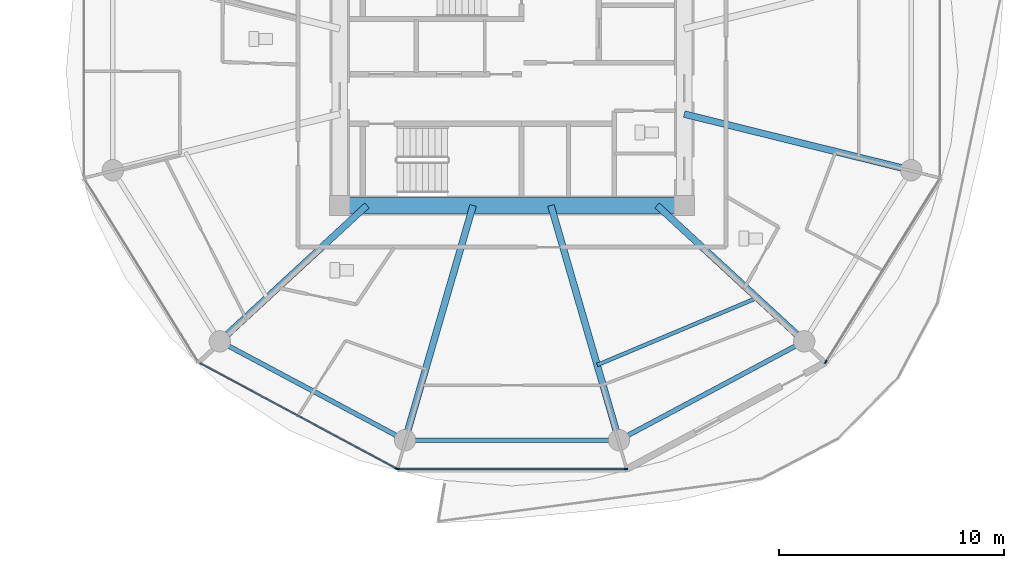
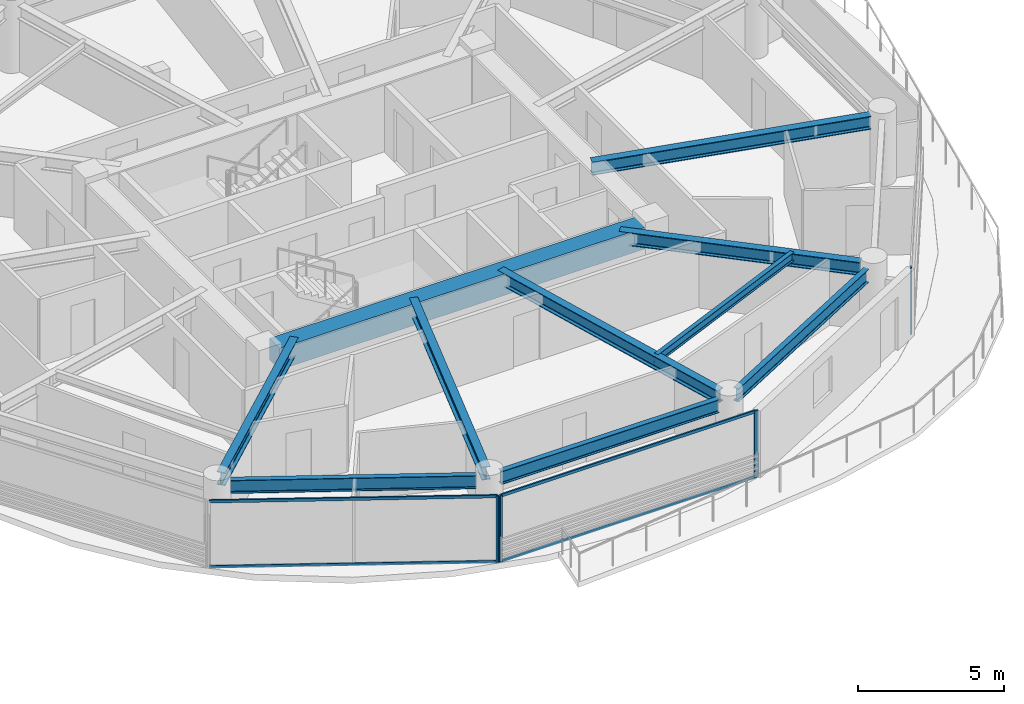
# One storey, part 10 of 27: 10 beams, 8 members, 3 elements without a shape of their own.
"""IFC4 building model written with IfcOpenShell, lengths in metres."""

from ifc_helpers import new_model, si_unit, direction, frame, origin, origin_2d, place, context, subcontext, project, spatial, rectangle, i_section, extrude, source, transform, mapped, material, layer, layer_set, material_profile, profile_set, type_object, type_shapes, element, aggregate, save


model = new_model("IFC4")

# Units and contexts
model_context = context("Model", 3, precision=1e-05, world=origin(), true_north=direction((0.0, 1.0)))
body_context = subcontext(model_context, "Body", "Model", "MODEL_VIEW")
ifc_project = project(units=[si_unit("LENGTHUNIT", "METRE"), si_unit("AREAUNIT", "SQUARE_METRE"), si_unit("VOLUMEUNIT", "CUBIC_METRE"), si_unit("PLANEANGLEUNIT", "RADIAN"), si_unit("MASSUNIT", "GRAM", prefix="KILO")], contexts=[model_context])

# Site, building, storey
site_placement = place(None, origin())
site = spatial("IfcSite", under=ifc_project, at=site_placement, CompositionType="ELEMENT")
building_placement = place(site_placement, origin())
building = spatial("IfcBuilding", under=site, at=building_placement, Name="Norrkilde Senior Care Towers", CompositionType="ELEMENT")
storey_placement = place(building_placement, frame((0.0, 0.0, 36.85009765625)))
storey = spatial("IfcBuildingStorey", under=building, at=storey_placement, Name="L10", CompositionType="ELEMENT", Elevation=36.85009765625)

# Beams
ifc_material_1 = material(Name="Concrete C60/75", Category="concrete")
ifc_material_profile_1 = material_profile(ifc_material_1, rectangle(XDim=0.699951171875, YDim=0.89990234375, at=origin_2d()), Name="RC BM 700x900")
ifc_profile_set_1 = profile_set([ifc_material_profile_1], Name="Concrete C60/75")
beam_type_1 = type_object("IfcBeamType", Name="Core Coupling Girder 700x900", PredefinedType="USERDEFINED", material=ifc_profile_set_1)
shared_shape_1 = source(origin(), body_context, "Body", "SweptSolid", [
    extrude(rectangle(XDim=0.699951171875, YDim=0.89990234375, at=origin_2d()), origin(), (0.0, 0.0, 1.0), 14.43994140625),
])
type_shapes(beam_type_1, [shared_shape_1])
beam_1_placement = place(storey_placement, frame((20.780029296875, -5.949951171875, 2.33984375), z_axis=(1.0, 0.0, 0.0), x_axis=(0.0, 1.0, 0.0)))
element("IfcBeam", 1, at=beam_1_placement, inside=storey, type_object=beam_type_1, Name="L10 Core E S Coupling Girder", ObjectType="GIRDER", PredefinedType="USERDEFINED", context=body_context, shape_type="MappedRepresentation", body=[
    mapped(shared_shape_1, transform((0.0, 0.0, 0.0), x_axis=(1.0, 0.0, 0.0), y_axis=(0.0, 1.0, 0.0), z_axis=(0.0, 0.0, 1.0), scale=1.0)),
])
ifc_material_2 = material(Name="Steel S355", Category="steel")
ifc_material_profile_2 = material_profile(ifc_material_2, i_section(OverallWidth=0.300048828125, OverallDepth=0.550048828125, WebThickness=0.014892578125, FlangeThickness=0.029052734375, FilletRadius=0.027099609375, at=origin_2d()), Name="HEB 550")
ifc_profile_set_2 = profile_set([ifc_material_profile_2], Name="Steel S355")
beam_type_2 = type_object("IfcBeamType", Name="Radial Floor Beam Z1 HEB550", PredefinedType="BEAM", material=ifc_profile_set_2)
shared_shape_2 = source(origin(), body_context, "Body", "SweptSolid", [
    extrude(i_section(OverallWidth=0.300048828125, OverallDepth=0.550048828125, WebThickness=0.014892578125, FlangeThickness=0.029052734375, FilletRadius=0.027099609375, at=origin_2d()), origin(), (0.0, 0.0, 1.0), 9.94384765625),
])
beam_2_placement = place(storey_placement, frame((35.64990234375, -1.893310546875, 2.514892578125), z_axis=(0.970707425182, -0.240264634718, 0.0), x_axis=(0.240264634718, 0.970707425182, 0.0)))
element("IfcBeam", 2, at=beam_2_placement, inside=storey, type_object=beam_type_2, Name="L10 Drum E Radial Floor Beam 12", PredefinedType="BEAM", context=body_context, shape_type="MappedRepresentation", body=[
    mapped(shared_shape_2, transform((0.0, 0.0, 0.0), x_axis=(1.0, 0.0, 0.0), y_axis=(0.0, 1.0, 0.0), z_axis=(0.0, 0.0, 1.0), scale=1.0)),
])
ifc_material_profile_3 = material_profile(ifc_material_2, i_section(OverallWidth=0.2099609375, OverallDepth=0.550048828125, WebThickness=0.010986328125, FlangeThickness=0.01708984375, FilletRadius=0.02392578125, at=origin_2d()), Name="IPE 550")
ifc_profile_set_3 = profile_set([ifc_material_profile_3], Name="Steel S355")
beam_type_3 = type_object("IfcBeamType", Name="Perimeter Ring Spandrel Z1 IPE550", PredefinedType="SPANDREL", material=ifc_profile_set_3)
shared_shape_3 = source(origin(), body_context, "Body", "SweptSolid", [
    extrude(i_section(OverallWidth=0.2099609375, OverallDepth=0.550048828125, WebThickness=0.010986328125, FlangeThickness=0.01708984375, FilletRadius=0.02392578125, at=origin_2d()), origin(), (0.0, 0.0, 1.0), 8.452880859375),
])
for number, where, z_axis, x_axis, name in (
    (3, (15.408447265625, -12.190185546875, 2.514892578125), (0.882368931134, -0.470558252898, 0.0), (0.470558252898, 0.882368931134, 0.0), "L10 Drum E Perimeter Spandrel 08"),
    (4, (33.133056640625, -16.167724609375, 2.514892578125), (0.882368931134, 0.470558252898, 0.0), (-0.470558252898, 0.882368931134, 0.0), "L10 Drum E Perimeter Spandrel 10"),
):
    element("IfcBeam", number, at=place(storey_placement, frame(where, z_axis=z_axis, x_axis=x_axis)), inside=storey, type_object=beam_type_3, Name=name, PredefinedType="SPANDREL", context=body_context, shape_type="MappedRepresentation", body=[
        mapped(shared_shape_3, transform((0.0, 0.0, 0.0), x_axis=(1.0, 0.0, 0.0), y_axis=(0.0, 1.0, 0.0), z_axis=(0.0, 0.0, 1.0), scale=1.0)),
    ])
shared_shape_4 = source(origin(), body_context, "Body", "SweptSolid", [
    extrude(i_section(OverallWidth=0.300048828125, OverallDepth=0.550048828125, WebThickness=0.014892578125, FlangeThickness=0.029052734375, FilletRadius=0.027099609375, at=origin_2d()), origin(), (0.0, 0.0, 1.0), 8.459716796875),
])
for number, where, z_axis, x_axis, name in (
    (5, (21.55859375, -5.949951171875, 2.514892578125), (-0.734573269108, -0.678529374686, 0.0), (0.678529374686, -0.734573269108, 0.0), "L10 Drum E Radial Floor Beam 08"),
    (6, (34.44140625, -5.949951171875, 2.514892578125), (0.734573269108, -0.678529374686, 0.0), (0.678529374686, 0.734573269108, 0.0), "L10 Drum E Radial Floor Beam 11"),
):
    element("IfcBeam", number, at=place(storey_placement, frame(where, z_axis=z_axis, x_axis=x_axis)), inside=storey, type_object=beam_type_2, Name=name, PredefinedType="BEAM", context=body_context, shape_type="MappedRepresentation", body=[
        mapped(shared_shape_4, transform((0.0, 0.0, 0.0), x_axis=(1.0, 0.0, 0.0), y_axis=(0.0, 1.0, 0.0), z_axis=(0.0, 0.0, 1.0), scale=1.0)),
    ])
shared_shape_5 = source(origin(), body_context, "Body", "SweptSolid", [
    extrude(i_section(OverallWidth=0.2099609375, OverallDepth=0.550048828125, WebThickness=0.010986328125, FlangeThickness=0.01708984375, FilletRadius=0.02392578125, at=origin_2d()), origin(), (0.0, 0.0, 1.0), 8.62841796875),
])
type_shapes(beam_type_3, [shared_shape_3, shared_shape_5])
beam_3_placement = place(storey_placement, frame((23.685791015625, -16.37255859375, 2.514892578125), z_axis=(1.0, 0.0, 0.0), x_axis=(0.0, 1.0, 0.0)))
element("IfcBeam", 7, at=beam_3_placement, inside=storey, type_object=beam_type_3, Name="L10 Drum E Perimeter Spandrel 09", PredefinedType="SPANDREL", context=body_context, shape_type="MappedRepresentation", body=[
    mapped(shared_shape_5, transform((0.0, 0.0, 0.0), x_axis=(1.0, 0.0, 0.0), y_axis=(0.0, 1.0, 0.0), z_axis=(0.0, 0.0, 1.0), scale=1.0)),
])
shared_shape_6 = source(origin(), body_context, "Body", "SweptSolid", [
    extrude(i_section(OverallWidth=0.300048828125, OverallDepth=0.550048828125, WebThickness=0.014892578125, FlangeThickness=0.029052734375, FilletRadius=0.027099609375, at=origin_2d()), origin(), (0.0, 0.0, 1.0), 10.4169921875),
])
type_shapes(beam_type_2, [shared_shape_2, shared_shape_4, shared_shape_6])
for number, where, z_axis, x_axis, name in (
    (8, (26.27392578125, -5.949951171875, 2.514892578125), (-0.278591250785, -0.960409764104, 0.0), (0.960409764104, -0.278591250785, 0.0), "L10 Drum E Radial Floor Beam 09"),
    (9, (29.72607421875, -5.949951171875, 2.514892578125), (0.278591250785, -0.960409764104, 0.0), (0.960409764104, 0.278591250785, 0.0), "L10 Drum E Radial Floor Beam 10"),
):
    element("IfcBeam", number, at=place(storey_placement, frame(where, z_axis=z_axis, x_axis=x_axis)), inside=storey, type_object=beam_type_2, Name=name, PredefinedType="BEAM", context=body_context, shape_type="MappedRepresentation", body=[
        mapped(shared_shape_6, transform((0.0, 0.0, 0.0), x_axis=(1.0, 0.0, 0.0), y_axis=(0.0, 1.0, 0.0), z_axis=(0.0, 0.0, 1.0), scale=1.0)),
    ])
ifc_material_profile_4 = material_profile(ifc_material_2, i_section(OverallWidth=0.169921875, OverallDepth=0.360107421875, WebThickness=0.008056640625, FlangeThickness=0.0126953125, FilletRadius=0.01806640625, at=origin_2d()), Name="IPE 360")
ifc_profile_set_4 = profile_set([ifc_material_profile_4], Name="Steel S355")
beam_type_4 = type_object("IfcBeamType", Name="Secondary Floor Joist IPE360", PredefinedType="JOIST", material=ifc_profile_set_4)
shared_shape_7 = source(origin(), body_context, "Body", "SweptSolid", [
    extrude(i_section(OverallWidth=0.169921875, OverallDepth=0.360107421875, WebThickness=0.008056640625, FlangeThickness=0.0126953125, FilletRadius=0.01806640625, at=origin_2d()), origin(), (0.0, 0.0, 1.0), 7.703857421875),
])
type_shapes(beam_type_4, [shared_shape_7])
beam_4_placement = place(storey_placement, frame((31.78173828125, -13.037353515625, 2.60986328125), z_axis=(0.921982784465, 0.387230868023, 0.0), x_axis=(-0.387230868023, 0.921982784465, 0.0)))
element("IfcBeam", 10, at=beam_4_placement, inside=storey, type_object=beam_type_4, Name="L10 Drum E Secondary Floor Joist 4", PredefinedType="JOIST", context=body_context, shape_type="MappedRepresentation", body=[
    mapped(shared_shape_7, transform((0.0, 0.0, 0.0), x_axis=(1.0, 0.0, 0.0), y_axis=(0.0, 1.0, 0.0), z_axis=(0.0, 0.0, 1.0), scale=1.0)),
])

# Curtain wall, member
ifc_material_3 = material(Name="Triple Low-E Insulated Glazing", Category="glass")
ifc_layer = layer(ifc_material_3, 0.199951171875)
ifc_layer_set = layer_set([ifc_layer], Name="Triple Low-E Insulated Glazing")
curtain_wall_type = type_object("IfcCurtainWallType", Name="CW2 Zone 1 Memory Care Curtain Wall", PredefinedType="NOTDEFINED", material=ifc_layer_set)
curtain_wall_1_placement = place(storey_placement, origin())
curtain_wall_1 = element("IfcCurtainWall", 11, at=curtain_wall_1_placement, inside=storey, type_object=curtain_wall_type, Name="L10 Drum E Curtain Wall 07", PredefinedType="NOTDEFINED")
ifc_material_4 = material(Name="Anodised Aluminium", Category="aluminium")
ifc_material_profile_5 = material_profile(ifc_material_4, rectangle(XDim=0.06494140625, YDim=0.159912109375, at=origin_2d()), Name="ALU MULL 65x160")
ifc_profile_set_5 = profile_set([ifc_material_profile_5], Name="Anodised Aluminium")
member_type_1 = type_object("IfcMemberType", Name="Curtain Wall Mullion Z1-Z2 65x160", PredefinedType="MULLION", material=ifc_profile_set_5)
shared_shape_8 = source(origin(), body_context, "Body", "SweptSolid", [
    extrude(rectangle(XDim=0.06494140625, YDim=0.159912109375, at=origin_2d()), origin(), (0.0, 0.0, 1.0), 2.789794921875),
])
type_shapes(member_type_1, [shared_shape_8])
member_1_placement = place(storey_placement, frame((22.877685546875, -17.641845703125, 0.0), z_axis=(0.0, 0.0, 1.0), x_axis=(-0.472607802456, -0.881272866403, 0.0)))
member_1 = element("IfcMember", 12, at=member_1_placement, type_object=member_type_1, Name="CW-2 mullion 1", PredefinedType="MULLION", context=body_context, shape_type="MappedRepresentation", body=[
    mapped(shared_shape_8, transform((0.0, 0.0, 0.0), x_axis=(1.0, 0.0, 0.0), y_axis=(0.0, 1.0, 0.0), z_axis=(0.0, 0.0, 1.0), scale=1.0)),
])

# Curtain wall, members
curtain_wall_2_placement = place(storey_placement, origin())
curtain_wall_2 = element("IfcCurtainWall", 13, at=curtain_wall_2_placement, inside=storey, type_object=curtain_wall_type, Name="L10 Drum E Curtain Wall 08", PredefinedType="NOTDEFINED")
member_2_placement = place(storey_placement, frame((33.06103515625, -17.6572265625, 0.0), z_axis=(0.0, 0.0, 1.0), x_axis=(0.0, -1.0, 0.0)))
member_2 = element("IfcMember", 14, at=member_2_placement, type_object=member_type_1, Name="CW-2 mullion 1", PredefinedType="MULLION", context=body_context, shape_type="MappedRepresentation", body=[
    mapped(shared_shape_8, transform((0.0, 0.0, 0.0), x_axis=(1.0, 0.0, 0.0), y_axis=(0.0, 1.0, 0.0), z_axis=(0.0, 0.0, 1.0), scale=1.0)),
])
member_3_placement = place(storey_placement, frame((22.93896484375, -17.6572265625, 0.0), z_axis=(0.0, 0.0, 1.0), x_axis=(0.0, -1.0, 0.0)))
member_3 = element("IfcMember", 15, at=member_3_placement, type_object=member_type_1, Name="CW-2 mullion 2", PredefinedType="MULLION", context=body_context, shape_type="MappedRepresentation", body=[
    mapped(shared_shape_8, transform((0.0, 0.0, 0.0), x_axis=(1.0, 0.0, 0.0), y_axis=(0.0, 1.0, 0.0), z_axis=(0.0, 0.0, 1.0), scale=1.0)),
])

# Curtain wall, member
curtain_wall_3_placement = place(storey_placement, origin())
curtain_wall_3 = element("IfcCurtainWall", 16, at=curtain_wall_3_placement, inside=storey, type_object=curtain_wall_type, Name="L10 Drum E Curtain Wall 10", PredefinedType="NOTDEFINED")
member_4_placement = place(storey_placement, frame((41.93310546875, -12.898193359375, 0.0), z_axis=(0.0, 0.0, 1.0), x_axis=(0.849305943117, -0.527900951871, 0.0)))
member_4 = element("IfcMember", 17, at=member_4_placement, type_object=member_type_1, Name="CW-2 mullion 2", PredefinedType="MULLION", context=body_context, shape_type="MappedRepresentation", body=[
    mapped(shared_shape_8, transform((0.0, 0.0, 0.0), x_axis=(1.0, 0.0, 0.0), y_axis=(0.0, 1.0, 0.0), z_axis=(0.0, 0.0, 1.0), scale=1.0)),
])
aggregate(curtain_wall_3, [member_4])

# Member
ifc_material_profile_6 = material_profile(ifc_material_4, rectangle(XDim=0.06005859375, YDim=0.1201171875, at=origin_2d()), Name="ALU TRAN 60x120")
ifc_profile_set_6 = profile_set([ifc_material_profile_6], Name="Anodised Aluminium")
member_type_2 = type_object("IfcMemberType", Name="Curtain Wall Transom Typical 60x120", PredefinedType="USERDEFINED", material=ifc_profile_set_6)
shared_shape_9 = source(origin(), body_context, "Body", "SweptSolid", [
    extrude(rectangle(XDim=0.06005859375, YDim=0.1201171875, at=origin_2d()), origin(), (0.0, 0.0, 1.0), 9.880859375),
])
member_5_placement = place(storey_placement, frame((22.84912109375, -17.62646484375, 0.02978515625), z_axis=(-0.881267204043, 0.47261836092, 0.0), x_axis=(-0.47261836092, -0.881267204043, 0.0)))
member_5 = element("IfcMember", 18, at=member_5_placement, type_object=member_type_2, Name="CW-2 transom 1.1", ObjectType="TRANSOM", PredefinedType="USERDEFINED", context=body_context, shape_type="MappedRepresentation", body=[
    mapped(shared_shape_9, transform((0.0, 0.0, 0.0), x_axis=(1.0, 0.0, 0.0), y_axis=(0.0, 1.0, 0.0), z_axis=(0.0, 0.0, 1.0), scale=1.0)),
])

member_6_placement = place(storey_placement, frame((22.84912109375, -17.62646484375, 2.760009765625), z_axis=(-0.881267204043, 0.47261836092, 0.0), x_axis=(-0.47261836092, -0.881267204043, 0.0)))
member_6 = element("IfcMember", 19, at=member_6_placement, type_object=member_type_2, Name="CW-2 transom 1.2", ObjectType="TRANSOM", PredefinedType="USERDEFINED", context=body_context, shape_type="MappedRepresentation", body=[
    mapped(shared_shape_9, transform((0.0, 0.0, 0.0), x_axis=(1.0, 0.0, 0.0), y_axis=(0.0, 1.0, 0.0), z_axis=(0.0, 0.0, 1.0), scale=1.0)),
])

aggregate(curtain_wall_1, [member_1, member_5, member_6])

shared_shape_10 = source(origin(), body_context, "Body", "SweptSolid", [
    extrude(rectangle(XDim=0.06005859375, YDim=0.1201171875, at=origin_2d()), origin(), (0.0, 0.0, 1.0), 10.05712890625),
])
type_shapes(member_type_2, [shared_shape_9, shared_shape_10])
member_7_placement = place(storey_placement, frame((33.028564453125, -17.6572265625, 0.02978515625), z_axis=(-1.0, 0.0, 0.0), x_axis=(0.0, -1.0, 0.0)))
member_7 = element("IfcMember", 20, at=member_7_placement, type_object=member_type_2, Name="CW-2 transom 1.1", ObjectType="TRANSOM", PredefinedType="USERDEFINED", context=body_context, shape_type="MappedRepresentation", body=[
    mapped(shared_shape_10, transform((0.0, 0.0, 0.0), x_axis=(1.0, 0.0, 0.0), y_axis=(0.0, 1.0, 0.0), z_axis=(0.0, 0.0, 1.0), scale=1.0)),
])

member_8_placement = place(storey_placement, frame((33.028564453125, -17.6572265625, 2.760009765625), z_axis=(-1.0, 0.0, 0.0), x_axis=(0.0, -1.0, 0.0)))
member_8 = element("IfcMember", 21, at=member_8_placement, type_object=member_type_2, Name="CW-2 transom 1.2", ObjectType="TRANSOM", PredefinedType="USERDEFINED", context=body_context, shape_type="MappedRepresentation", body=[
    mapped(shared_shape_10, transform((0.0, 0.0, 0.0), x_axis=(1.0, 0.0, 0.0), y_axis=(0.0, 1.0, 0.0), z_axis=(0.0, 0.0, 1.0), scale=1.0)),
])

aggregate(curtain_wall_2, [member_2, member_3, member_7, member_8])

save(model, "model.ifc")
